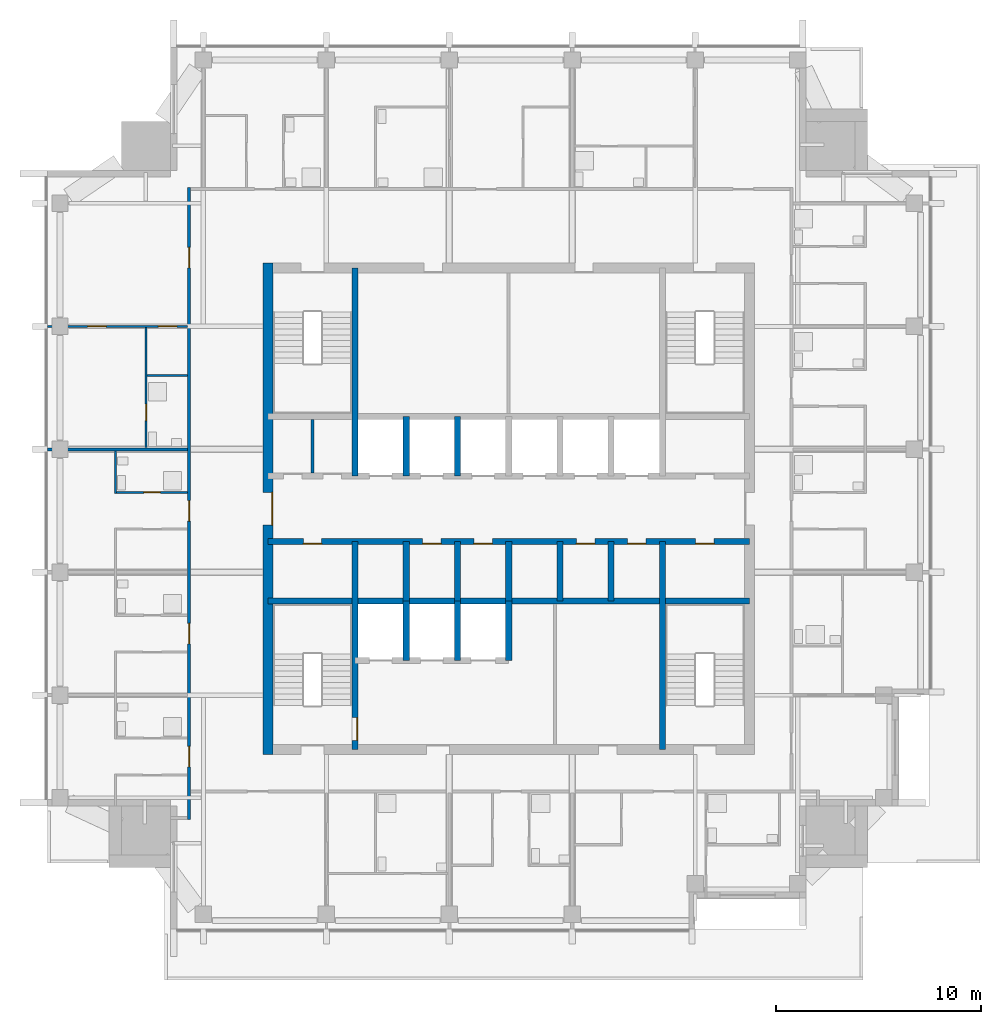
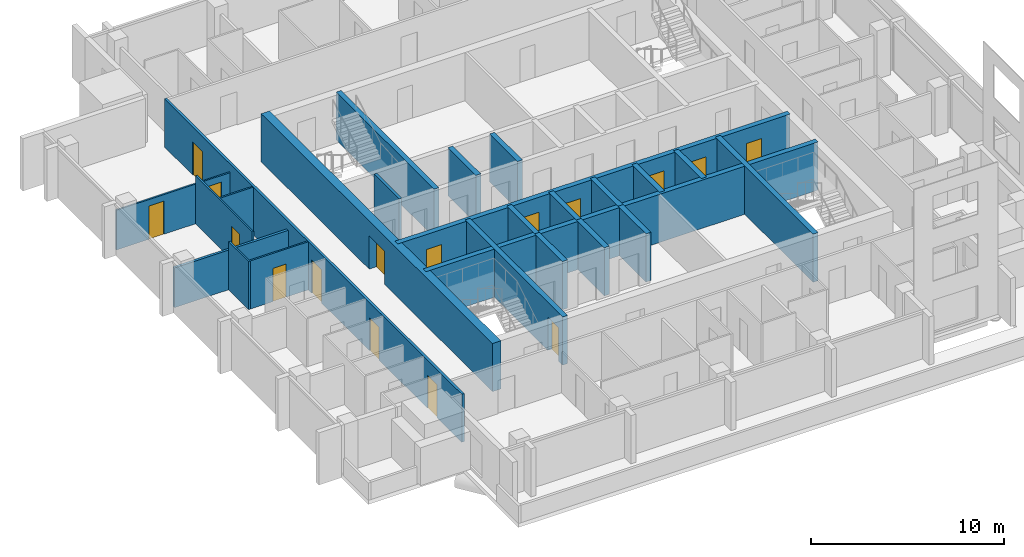
# One storey, part 5 of 11: 24 walls, 16 doors, 16 openings.
"""IFC4 building model written with IfcOpenShell, lengths in metres."""

from ifc_helpers import new_model, si_unit, direction, frame, frame_2d, origin, place, context, subcontext, project, spatial, rectangle, extrude, material, layer, layer_set, type_object, element, fill, save


model = new_model("IFC4")

# Units and contexts
model_context = context("Model", 3, precision=1e-05, world=origin(), true_north=direction((0.0, 1.0)))
body_context = subcontext(model_context, "Body", "Model", "MODEL_VIEW")
ifc_project = project(units=[si_unit("LENGTHUNIT", "METRE"), si_unit("AREAUNIT", "SQUARE_METRE"), si_unit("VOLUMEUNIT", "CUBIC_METRE"), si_unit("PLANEANGLEUNIT", "RADIAN"), si_unit("MASSUNIT", "GRAM", prefix="KILO")], contexts=[model_context])

# Site, building, storey
site_placement = place(None, origin())
site = spatial("IfcSite", under=ifc_project, at=site_placement, CompositionType="ELEMENT")
building_placement = place(site_placement, origin())
building = spatial("IfcBuilding", under=site, at=building_placement, Name="Amberfall Residences", CompositionType="ELEMENT")
storey_placement = place(building_placement, frame((0.0, 0.0, 238.89990234375)))
storey = spatial("IfcBuildingStorey", under=building, at=storey_placement, Name="L63", CompositionType="ELEMENT", Elevation=238.89990234375)

# Wall
ifc_material_1 = material(Name="Concrete C50", Category="concrete")
ifc_layer_1 = layer(ifc_material_1, 0.300048828125)
ifc_layer_set_1 = layer_set([ifc_layer_1], Name="Core wall 300 C50")
wall_type_1 = type_object("IfcWallType", Name="Core wall 300 C50", PredefinedType="SHEAR", material=ifc_layer_set_1)
wall_1_placement = place(storey_placement, frame((62.75, 41.0, 0.0), z_axis=(0.0, 0.0, 1.0), x_axis=(1.0, 0.0, 0.0)))
element("IfcWall", 1, at=wall_1_placement, inside=storey, type_object=wall_type_1, Name="Core wall RW10 L63 H75", PredefinedType="SHEAR", context=body_context, shape_type="SweptSolid", body=[
    extrude(rectangle(XDim=23.5, YDim=0.300048828125, at=frame_2d((11.75, 0.0))), origin(), (0.0, 0.0, 1.0), 3.050048828125),
])

# Wall, openings, doors
wall_2_placement = place(storey_placement, frame((62.75, 43.89990234375, 0.0), z_axis=(0.0, 0.0, 1.0), x_axis=(1.0, 0.0, 0.0)))
wall_2 = element("IfcWall", 2, at=wall_2_placement, inside=storey, type_object=wall_type_1, Name="Core wall RW10 L63 H104", PredefinedType="SHEAR", context=body_context, shape_type="SweptSolid", body=[
    extrude(rectangle(XDim=23.5, YDim=0.300048828125, at=frame_2d((11.75, 0.0))), origin(), (0.0, 0.0, 1.0), 3.050048828125),
])
opening_1_placement = place(wall_2_placement, frame((1.72509765625, 0.0, 0.0)))
opening_1 = element("IfcOpeningElement", 3, at=opening_1_placement, cuts=wall_2, Name="Opening RD1", PredefinedType="OPENING", context=body_context, shape_type="SweptSolid", body=[
    extrude(rectangle(XDim=0.89990234375, YDim=2.10009765625, at=frame_2d((0.449951171875, 1.050048828125))), frame((0.0, 0.159912109375, 0.0), z_axis=(0.0, -1.0, 0.0), x_axis=(1.0, 0.0, 0.0)), (0.0, 0.0, 1.0), 0.320068359375),
])
opening_2_placement = place(wall_2_placement, frame((20.875, 0.0, 0.0)))
opening_2 = element("IfcOpeningElement", 4, at=opening_2_placement, cuts=wall_2, Name="Opening RD1", PredefinedType="OPENING", context=body_context, shape_type="SweptSolid", body=[
    extrude(rectangle(XDim=0.89990234375, YDim=2.10009765625, at=frame_2d((0.449951171875, 1.050048828125))), frame((0.0, 0.159912109375, 0.0), z_axis=(0.0, -1.0, 0.0), x_axis=(1.0, 0.0, 0.0)), (0.0, 0.0, 1.0), 0.320068359375),
])
opening_3_placement = place(wall_2_placement, frame((7.550048828125, 0.0, 0.0)))
opening_3 = element("IfcOpeningElement", 5, at=opening_3_placement, cuts=wall_2, Name="Opening RD1", PredefinedType="OPENING", context=body_context, shape_type="SweptSolid", body=[
    extrude(rectangle(XDim=0.89990234375, YDim=2.10009765625, at=frame_2d((0.449951171875, 1.050048828125))), frame((0.0, 0.159912109375, 0.0), z_axis=(0.0, -1.0, 0.0), x_axis=(1.0, 0.0, 0.0)), (0.0, 0.0, 1.0), 0.320068359375),
])
opening_4_placement = place(wall_2_placement, frame((10.050048828125, 0.0, 0.0)))
opening_4 = element("IfcOpeningElement", 6, at=opening_4_placement, cuts=wall_2, Name="Opening RD1", PredefinedType="OPENING", context=body_context, shape_type="SweptSolid", body=[
    extrude(rectangle(XDim=0.89990234375, YDim=2.10009765625, at=frame_2d((0.449951171875, 1.050048828125))), frame((0.0, 0.159912109375, 0.0), z_axis=(0.0, -1.0, 0.0), x_axis=(1.0, 0.0, 0.0)), (0.0, 0.0, 1.0), 0.320068359375),
])
opening_5_placement = place(wall_2_placement, frame((15.050048828125, 0.0, 0.0)))
opening_5 = element("IfcOpeningElement", 7, at=opening_5_placement, cuts=wall_2, Name="Opening RD1", PredefinedType="OPENING", context=body_context, shape_type="SweptSolid", body=[
    extrude(rectangle(XDim=0.89990234375, YDim=2.10009765625, at=frame_2d((0.449951171875, 1.050048828125))), frame((0.0, 0.159912109375, 0.0), z_axis=(0.0, -1.0, 0.0), x_axis=(1.0, 0.0, 0.0)), (0.0, 0.0, 1.0), 0.320068359375),
])
opening_6_placement = place(wall_2_placement, frame((17.550048828125, 0.0, 0.0)))
opening_6 = element("IfcOpeningElement", 8, at=opening_6_placement, cuts=wall_2, Name="Opening RD1", PredefinedType="OPENING", context=body_context, shape_type="SweptSolid", body=[
    extrude(rectangle(XDim=0.89990234375, YDim=2.10009765625, at=frame_2d((0.449951171875, 1.050048828125))), frame((0.0, 0.159912109375, 0.0), z_axis=(0.0, -1.0, 0.0), x_axis=(1.0, 0.0, 0.0)), (0.0, 0.0, 1.0), 0.320068359375),
])
ifc_material_2 = material(Name="Steel fire door set", Category="steel")
door_type_1 = type_object("IfcDoorType", Name="Service room door 900 x 2100", OperationType="SINGLE_SWING_LEFT", PredefinedType="DOOR", material=ifc_material_2)
door_1_placement = place(opening_1_placement, origin())
door_1 = element("IfcDoor", 9, at=door_1_placement, inside=storey, type_object=door_type_1, Name="RD1 L63", OperationType="SINGLE_SWING_LEFT", OverallHeight=2.10009765625, OverallWidth=0.89990234375, PredefinedType="DOOR", context=body_context, shape_type="SweptSolid", body=[
    extrude(rectangle(XDim=0.89990234375, YDim=2.10009765625, at=frame_2d((0.449951171875, 1.050048828125))), frame((0.0, -0.08740234375, 0.0), z_axis=(0.0, -1.0, 0.0), x_axis=(1.0, 0.0, 0.0)), (0.0, 0.0, 1.0), 0.050048828125),
])
fill(opening_1, door_1)
door_2_placement = place(opening_2_placement, origin())
door_2 = element("IfcDoor", 10, at=door_2_placement, inside=storey, type_object=door_type_1, Name="RD1 L63", OperationType="SINGLE_SWING_LEFT", OverallHeight=2.10009765625, OverallWidth=0.89990234375, PredefinedType="DOOR", context=body_context, shape_type="SweptSolid", body=[
    extrude(rectangle(XDim=0.89990234375, YDim=2.10009765625, at=frame_2d((0.449951171875, 1.050048828125))), frame((0.0, -0.08740234375, 0.0), z_axis=(0.0, -1.0, 0.0), x_axis=(1.0, 0.0, 0.0)), (0.0, 0.0, 1.0), 0.050048828125),
])
fill(opening_2, door_2)
door_3_placement = place(opening_3_placement, origin())
door_3 = element("IfcDoor", 11, at=door_3_placement, inside=storey, type_object=door_type_1, Name="RD1 L63", OperationType="SINGLE_SWING_LEFT", OverallHeight=2.10009765625, OverallWidth=0.89990234375, PredefinedType="DOOR", context=body_context, shape_type="SweptSolid", body=[
    extrude(rectangle(XDim=0.89990234375, YDim=2.10009765625, at=frame_2d((0.449951171875, 1.050048828125))), frame((0.0, -0.08740234375, 0.0), z_axis=(0.0, -1.0, 0.0), x_axis=(1.0, 0.0, 0.0)), (0.0, 0.0, 1.0), 0.050048828125),
])
fill(opening_3, door_3)
door_4_placement = place(opening_4_placement, origin())
door_4 = element("IfcDoor", 12, at=door_4_placement, inside=storey, type_object=door_type_1, Name="RD1 L63", OperationType="SINGLE_SWING_RIGHT", OverallHeight=2.10009765625, OverallWidth=0.89990234375, PredefinedType="DOOR", context=body_context, shape_type="SweptSolid", body=[
    extrude(rectangle(XDim=0.89990234375, YDim=2.10009765625, at=frame_2d((0.449951171875, 1.050048828125))), frame((0.0, -0.08740234375, 0.0), z_axis=(0.0, -1.0, 0.0), x_axis=(1.0, 0.0, 0.0)), (0.0, 0.0, 1.0), 0.050048828125),
])
fill(opening_4, door_4)
door_5_placement = place(opening_5_placement, origin())
door_5 = element("IfcDoor", 13, at=door_5_placement, inside=storey, type_object=door_type_1, Name="RD1 L63", OperationType="SINGLE_SWING_RIGHT", OverallHeight=2.10009765625, OverallWidth=0.89990234375, PredefinedType="DOOR", context=body_context, shape_type="SweptSolid", body=[
    extrude(rectangle(XDim=0.89990234375, YDim=2.10009765625, at=frame_2d((0.449951171875, 1.050048828125))), frame((0.0, -0.08740234375, 0.0), z_axis=(0.0, -1.0, 0.0), x_axis=(1.0, 0.0, 0.0)), (0.0, 0.0, 1.0), 0.050048828125),
])
fill(opening_5, door_5)
door_6_placement = place(opening_6_placement, origin())
door_6 = element("IfcDoor", 14, at=door_6_placement, inside=storey, type_object=door_type_1, Name="RD1 L63", OperationType="SINGLE_SWING_LEFT", OverallHeight=2.10009765625, OverallWidth=0.89990234375, PredefinedType="DOOR", context=body_context, shape_type="SweptSolid", body=[
    extrude(rectangle(XDim=0.89990234375, YDim=2.10009765625, at=frame_2d((0.449951171875, 1.050048828125))), frame((0.0, -0.08740234375, 0.0), z_axis=(0.0, -1.0, 0.0), x_axis=(1.0, 0.0, 0.0)), (0.0, 0.0, 1.0), 0.050048828125),
])
fill(opening_6, door_6)

# Wall, opening, door
wall_3_placement = place(storey_placement, frame((67.0, 33.75, 0.0), z_axis=(0.0, 0.0, 1.0), x_axis=(0.0, 1.0, 0.0)))
wall_3 = element("IfcWall", 15, at=wall_3_placement, inside=storey, type_object=wall_type_1, Name="Core wall RW10 L63 V45S", PredefinedType="SHEAR", context=body_context, shape_type="SweptSolid", body=[
    extrude(rectangle(XDim=10.14990234375, YDim=0.300048828125, at=frame_2d((5.074951171875, 0.0))), origin(), (0.0, 0.0, 1.0), 3.050048828125),
])
opening_7_placement = place(wall_3_placement, frame((0.449951171875, 0.0, 0.0)))
opening_7 = element("IfcOpeningElement", 16, at=opening_7_placement, cuts=wall_3, Name="Opening FL1", PredefinedType="OPENING", context=body_context, shape_type="SweptSolid", body=[
    extrude(rectangle(XDim=1.10009765625, YDim=2.10009765625, at=frame_2d((0.550048828125, 1.050048828125))), frame((0.0, 0.159912109375, 0.0), z_axis=(0.0, -1.0, 0.0), x_axis=(1.0, 0.0, 0.0)), (0.0, 0.0, 1.0), 0.320068359375),
])
door_type_2 = type_object("IfcDoorType", Name="Firefighting lobby door 1100 x 2100", OperationType="SINGLE_SWING_LEFT", PredefinedType="DOOR", material=ifc_material_2)
door_7_placement = place(opening_7_placement, origin())
door_7 = element("IfcDoor", 17, at=door_7_placement, inside=storey, type_object=door_type_2, Name="FL1 L63", OperationType="SINGLE_SWING_RIGHT", OverallHeight=2.10009765625, OverallWidth=1.10009765625, PredefinedType="DOOR", context=body_context, shape_type="SweptSolid", body=[
    extrude(rectangle(XDim=1.10009765625, YDim=2.10009765625, at=frame_2d((0.550048828125, 1.050048828125))), frame((0.0, -0.08740234375, 0.0), z_axis=(0.0, -1.0, 0.0), x_axis=(1.0, 0.0, 0.0)), (0.0, 0.0, 1.0), 0.050048828125),
])
fill(opening_7, door_7)

# Walls
for number, where, z_axis, x_axis, name in (
    (18, (67.0, 47.10009765625, 0.0), (0.0, 0.0, 1.0), (0.0, 1.0, 0.0), "Core wall RW10 L63 V45N"),
    (19, (82.0, 33.75, 0.0), (0.0, 0.0, 1.0), (0.0, 1.0, 0.0), "Core wall RW10 L63 V195S"),
):
    element("IfcWall", number, at=place(storey_placement, frame(where, z_axis=z_axis, x_axis=x_axis)), inside=storey, type_object=wall_type_1, Name=name, PredefinedType="SHEAR", context=body_context, shape_type="SweptSolid", body=[
        extrude(rectangle(XDim=10.14990234375, YDim=0.300048828125, at=frame_2d((5.074951171875, 0.0))), origin(), (0.0, 0.0, 1.0), 3.050048828125),
    ])
for number, where, z_axis, x_axis, name in (
    (20, (69.5, 41.0, 0.0), (0.0, 0.0, 1.0), (0.0, 1.0, 0.0), "Core wall RW10 L63 LPD1"),
    (21, (69.5, 47.10009765625, 0.0), (0.0, 0.0, 1.0), (0.0, 1.0, 0.0), "Core wall RW10 L63 HPD1"),
    (22, (72.0, 41.0, 0.0), (0.0, 0.0, 1.0), (0.0, 1.0, 0.0), "Core wall RW10 L63 LPD2"),
    (23, (72.0, 47.10009765625, 0.0), (0.0, 0.0, 1.0), (0.0, 1.0, 0.0), "Core wall RW10 L63 HPD2"),
    (24, (74.5, 41.0, 0.0), (0.0, 0.0, 1.0), (0.0, 1.0, 0.0), "Core wall RW10 L63 LPD3"),
    (25, (77.0, 41.0, 0.0), (0.0, 0.0, 1.0), (0.0, 1.0, 0.0), "Core wall RW10 L63 LPD4"),
    (26, (79.5, 41.0, 0.0), (0.0, 0.0, 1.0), (0.0, 1.0, 0.0), "Core wall RW10 L63 LPD5"),
    (27, (69.5, 38.10009765625, 0.0), (0.0, 0.0, 1.0), (0.0, 1.0, 0.0), "Core wall RW10 L63 FFD1"),
    (28, (72.0, 38.10009765625, 0.0), (0.0, 0.0, 1.0), (0.0, 1.0, 0.0), "Core wall RW10 L63 FFD2"),
    (29, (74.5, 38.10009765625, 0.0), (0.0, 0.0, 1.0), (0.0, 1.0, 0.0), "Core wall RW10 L63 FFD3"),
):
    element("IfcWall", number, at=place(storey_placement, frame(where, z_axis=z_axis, x_axis=x_axis)), inside=storey, type_object=wall_type_1, Name=name, PredefinedType="SHEAR", context=body_context, shape_type="SweptSolid", body=[
        extrude(rectangle(XDim=2.89990234375, YDim=0.300048828125, at=frame_2d((1.449951171875, 0.0))), origin(), (0.0, 0.0, 1.0), 3.050048828125),
    ])

# Wall, opening, door
ifc_layer_2 = layer(ifc_material_1, 0.5)
ifc_layer_set_2 = layer_set([ifc_layer_2], Name="Core wall 500 C50")
wall_type_2 = type_object("IfcWallType", Name="Core wall 500 C50", PredefinedType="SHEAR", material=ifc_layer_set_2)
wall_4_placement = place(storey_placement, frame((62.75, 33.5, 0.0), z_axis=(0.0, 0.0, 1.0), x_axis=(0.0, 1.0, 0.0)))
wall_4 = element("IfcWall", 30, at=wall_4_placement, inside=storey, type_object=wall_type_2, Name="Core wall RW9 L63 OW", PredefinedType="SHEAR", context=body_context, shape_type="SweptSolid", body=[
    extrude(rectangle(XDim=24.0, YDim=0.5, at=frame_2d((12.0, 0.0))), origin(), (0.0, 0.0, 1.0), 3.050048828125),
])
opening_8_placement = place(wall_4_placement, frame((11.199951171875, 0.0, 0.0)))
opening_8 = element("IfcOpeningElement", 31, at=opening_8_placement, cuts=wall_4, Name="Opening LB1", PredefinedType="OPENING", context=body_context, shape_type="SweptSolid", body=[
    extrude(rectangle(XDim=1.60009765625, YDim=2.10009765625, at=frame_2d((0.800048828125, 1.050048828125))), frame((0.0, 0.260009765625, 0.0), z_axis=(0.0, -1.0, 0.0), x_axis=(1.0, 0.0, 0.0)), (0.0, 0.0, 1.0), 0.52001953125),
])
door_type_3 = type_object("IfcDoorType", Name="Lift lobby double door 1600 x 2100", OperationType="DOUBLE_DOOR_SINGLE_SWING", PredefinedType="DOOR", material=ifc_material_2)
door_8_placement = place(opening_8_placement, origin())
door_8 = element("IfcDoor", 32, at=door_8_placement, inside=storey, type_object=door_type_3, Name="LB1 L63", OperationType="DOUBLE_DOOR_SINGLE_SWING", OverallHeight=2.10009765625, OverallWidth=1.60009765625, PredefinedType="DOOR", context=body_context, shape_type="SweptSolid", body=[
    extrude(rectangle(XDim=1.60009765625, YDim=2.10009765625, at=frame_2d((0.800048828125, 1.050048828125))), frame((0.0, -0.1875, 0.0), z_axis=(0.0, -1.0, 0.0), x_axis=(1.0, 0.0, 0.0)), (0.0, 0.0, 1.0), 0.050048828125),
])
fill(opening_8, door_8)

# Wall
ifc_material_3 = material(Name="Gypsum board on metal stud")
ifc_layer_3 = layer(ifc_material_3, 0.10009765625)
ifc_layer_set_3 = layer_set([ifc_layer_3], Name="Flat partition 100")
wall_type_3 = type_object("IfcWallType", Name="Flat partition 100", PredefinedType="PARTITIONING", material=ifc_layer_set_3)
wall_5_placement = place(storey_placement, frame((55.300048828125, 46.25, 0.0), z_axis=(0.0, 0.0, 1.0), x_axis=(0.0, 1.0, 0.0)))
element("IfcWall", 33, at=wall_5_placement, inside=storey, type_object=wall_type_3, Name="Partition 004", PredefinedType="PARTITIONING", context=body_context, shape_type="SweptSolid", body=[
    extrude(rectangle(XDim=2.074951171875, YDim=0.10009765625, at=frame_2d((1.03759765625, 0.0))), origin(), (0.0, 0.0, 1.0), 3.050048828125),
])

# Wall, opening, door
wall_6_placement = place(storey_placement, frame((56.800048828125, 54.35009765625, 0.0), z_axis=(0.0, 0.0, 1.0), x_axis=(0.0, -1.0, 0.0)))
wall_6 = element("IfcWall", 34, at=wall_6_placement, inside=storey, type_object=wall_type_3, Name="Partition 005", PredefinedType="PARTITIONING", context=body_context, shape_type="SweptSolid", body=[
    extrude(rectangle(XDim=5.875, YDim=0.10009765625, at=frame_2d((2.9375, 0.0))), origin(), (0.0, 0.0, 1.0), 3.050048828125),
])
opening_9_placement = place(wall_6_placement, frame((3.75, 0.0, 0.0)))
opening_9 = element("IfcOpeningElement", 35, at=opening_9_placement, cuts=wall_6, Name="Opening D42", PredefinedType="OPENING", context=body_context, shape_type="SweptSolid", body=[
    extrude(rectangle(XDim=0.800048828125, YDim=2.10009765625, at=frame_2d((0.39990234375, 1.050048828125))), frame((0.0, 0.06005859375, 0.0), z_axis=(0.0, -1.0, 0.0), x_axis=(1.0, 0.0, 0.0)), (0.0, 0.0, 1.0), 0.1201171875),
])
ifc_material_4 = material(Name="Timber", Category="wood")
door_type_4 = type_object("IfcDoorType", Name="Bathroom door 800 x 2100", OperationType="SINGLE_SWING_LEFT", PredefinedType="DOOR", material=ifc_material_4)
door_9_placement = place(opening_9_placement, origin())
door_9 = element("IfcDoor", 36, at=door_9_placement, inside=storey, type_object=door_type_4, Name="Door 6314 bath1", OperationType="SINGLE_SWING_LEFT", OverallHeight=2.10009765625, OverallWidth=0.800048828125, PredefinedType="DOOR", context=body_context, shape_type="SweptSolid", body=[
    extrude(rectangle(XDim=0.800048828125, YDim=2.10009765625, at=frame_2d((0.39990234375, 1.050048828125))), frame((0.0, 0.02490234375, 0.0), z_axis=(0.0, -1.0, 0.0), x_axis=(1.0, 0.0, 0.0)), (0.0, 0.0, 1.0), 0.050048828125),
])
fill(opening_9, door_9)

# Wall, openings, doors
wall_7_placement = place(storey_placement, frame((58.824951171875, 54.39990234375, 0.0), z_axis=(0.0, 0.0, 1.0), x_axis=(-1.0, 0.0, 0.0)))
wall_7 = element("IfcWall", 37, at=wall_7_placement, inside=storey, type_object=wall_type_3, Name="Partition 032", PredefinedType="PARTITIONING", context=body_context, shape_type="SweptSolid", body=[
    extrude(rectangle(XDim=6.824951171875, YDim=0.10009765625, at=frame_2d((3.41259765625, 0.0))), origin(), (0.0, 0.0, 1.0), 2.51611328125),
])
opening_10_placement = place(wall_7_placement, frame((0.52490234375, 0.0, 0.0)))
opening_10 = element("IfcOpeningElement", 38, at=opening_10_placement, cuts=wall_7, Name="Opening D41", PredefinedType="OPENING", context=body_context, shape_type="SweptSolid", body=[
    extrude(rectangle(XDim=0.89990234375, YDim=2.10009765625, at=frame_2d((0.449951171875, 1.050048828125))), frame((0.0, 0.06005859375, 0.0), z_axis=(0.0, -1.0, 0.0), x_axis=(1.0, 0.0, 0.0)), (0.0, 0.0, 1.0), 0.1201171875),
])
opening_11_placement = place(wall_7_placement, frame((3.97509765625, 0.0, 0.0)))
opening_11 = element("IfcOpeningElement", 39, at=opening_11_placement, cuts=wall_7, Name="Opening D41", PredefinedType="OPENING", context=body_context, shape_type="SweptSolid", body=[
    extrude(rectangle(XDim=0.89990234375, YDim=2.10009765625, at=frame_2d((0.449951171875, 1.050048828125))), frame((0.0, 0.06005859375, 0.0), z_axis=(0.0, -1.0, 0.0), x_axis=(1.0, 0.0, 0.0)), (0.0, 0.0, 1.0), 0.1201171875),
])
door_type_5 = type_object("IfcDoorType", Name="Internal door 900 x 2100", OperationType="SINGLE_SWING_LEFT", PredefinedType="DOOR", material=ifc_material_4)
door_10_placement = place(opening_10_placement, origin())
door_10 = element("IfcDoor", 40, at=door_10_placement, inside=storey, type_object=door_type_5, Name="Door 6314 kitchen", OperationType="SINGLE_SWING_LEFT", OverallHeight=2.10009765625, OverallWidth=0.89990234375, PredefinedType="DOOR", context=body_context, shape_type="SweptSolid", body=[
    extrude(rectangle(XDim=0.89990234375, YDim=2.10009765625, at=frame_2d((0.449951171875, 1.050048828125))), frame((0.0, 0.02490234375, 0.0), z_axis=(0.0, -1.0, 0.0), x_axis=(1.0, 0.0, 0.0)), (0.0, 0.0, 1.0), 0.050048828125),
])
fill(opening_10, door_10)
door_11_placement = place(opening_11_placement, origin())
door_11 = element("IfcDoor", 41, at=door_11_placement, inside=storey, type_object=door_type_5, Name="Door 6314 bedroom1", OperationType="SINGLE_SWING_LEFT", OverallHeight=2.10009765625, OverallWidth=0.89990234375, PredefinedType="DOOR", context=body_context, shape_type="SweptSolid", body=[
    extrude(rectangle(XDim=0.89990234375, YDim=2.10009765625, at=frame_2d((0.449951171875, 1.050048828125))), frame((0.0, 0.02490234375, 0.0), z_axis=(0.0, -1.0, 0.0), x_axis=(1.0, 0.0, 0.0)), (0.0, 0.0, 1.0), 0.050048828125),
])
fill(opening_11, door_11)

# Wall
wall_8_placement = place(storey_placement, frame((56.85009765625, 52.0, 0.0), z_axis=(0.0, 0.0, 1.0), x_axis=(1.0, 0.0, 0.0)))
element("IfcWall", 42, at=wall_8_placement, inside=storey, type_object=wall_type_3, Name="Partition 034", PredefinedType="PARTITIONING", context=body_context, shape_type="SweptSolid", body=[
    extrude(rectangle(XDim=1.974853515625, YDim=0.10009765625, at=frame_2d((0.9873046875, 0.0))), origin(), (0.0, 0.0, 1.0), 3.050048828125),
])

# Wall, opening, door
wall_9_placement = place(storey_placement, frame((55.35009765625, 46.300048828125, 0.0), z_axis=(0.0, 0.0, 1.0), x_axis=(1.0, 0.0, 0.0)))
wall_9 = element("IfcWall", 43, at=wall_9_placement, inside=storey, type_object=wall_type_3, Name="Partition 036", PredefinedType="PARTITIONING", context=body_context, shape_type="SweptSolid", body=[
    extrude(rectangle(XDim=3.474853515625, YDim=0.10009765625, at=frame_2d((1.7373046875, 0.0))), origin(), (0.0, 0.0, 1.0), 3.050048828125),
])
opening_12_placement = place(wall_9_placement, frame((1.35009765625, 0.0, 0.0)))
opening_12 = element("IfcOpeningElement", 44, at=opening_12_placement, cuts=wall_9, Name="Opening D42", PredefinedType="OPENING", context=body_context, shape_type="SweptSolid", body=[
    extrude(rectangle(XDim=0.800048828125, YDim=2.10009765625, at=frame_2d((0.39990234375, 1.050048828125))), frame((0.0, 0.06005859375, 0.0), z_axis=(0.0, -1.0, 0.0), x_axis=(1.0, 0.0, 0.0)), (0.0, 0.0, 1.0), 0.1201171875),
])
door_12_placement = place(opening_12_placement, origin())
door_12 = element("IfcDoor", 45, at=door_12_placement, inside=storey, type_object=door_type_4, Name="Door 6313 bath1", OperationType="SINGLE_SWING_LEFT", OverallHeight=2.10009765625, OverallWidth=0.800048828125, PredefinedType="DOOR", context=body_context, shape_type="SweptSolid", body=[
    extrude(rectangle(XDim=0.800048828125, YDim=2.10009765625, at=frame_2d((0.39990234375, 1.050048828125))), frame((0.0, 0.02490234375, 0.0), z_axis=(0.0, -1.0, 0.0), x_axis=(1.0, 0.0, 0.0)), (0.0, 0.0, 1.0), 0.050048828125),
])
fill(opening_12, door_12)

# Wall, openings, doors
ifc_material_5 = material(Name="Blockwork, plastered", Category="masonry")
ifc_layer_4 = layer(ifc_material_5, 0.14990234375)
ifc_layer_set_4 = layer_set([ifc_layer_4], Name="Flat separating wall 150")
wall_type_4 = type_object("IfcWallType", Name="Flat separating wall 150", PredefinedType="PARTITIONING", material=ifc_layer_set_4)
wall_10_placement = place(storey_placement, frame((58.89990234375, 30.324951171875, 0.0), z_axis=(0.0, 0.0, 1.0), x_axis=(0.0, 1.0, 0.0)))
wall_10 = element("IfcWall", 46, at=wall_10_placement, inside=storey, type_object=wall_type_4, Name="Separating wall 051", PredefinedType="PARTITIONING", context=body_context, shape_type="SweptSolid", body=[
    extrude(rectangle(XDim=30.85009765625, YDim=0.14990234375, at=frame_2d((15.425048828125, 0.0))), origin(), (0.0, 0.0, 1.0), 3.050048828125),
])
opening_13_placement = place(wall_10_placement, frame((2.574951171875, 0.0, 0.0)))
opening_13 = element("IfcOpeningElement", 47, at=opening_13_placement, cuts=wall_10, Name="Opening D40", PredefinedType="OPENING", context=body_context, shape_type="SweptSolid", body=[
    extrude(rectangle(XDim=1.0, YDim=2.10009765625, at=frame_2d((0.5, 1.050048828125))), frame((0.0, 0.0849609375, 0.0), z_axis=(0.0, -1.0, 0.0), x_axis=(1.0, 0.0, 0.0)), (0.0, 0.0, 1.0), 0.169921875),
])
opening_14_placement = place(wall_10_placement, frame((8.574951171875, 0.0, 0.0)))
opening_14 = element("IfcOpeningElement", 48, at=opening_14_placement, cuts=wall_10, Name="Opening D40", PredefinedType="OPENING", context=body_context, shape_type="SweptSolid", body=[
    extrude(rectangle(XDim=1.0, YDim=2.10009765625, at=frame_2d((0.5, 1.050048828125))), frame((0.0, 0.0849609375, 0.0), z_axis=(0.0, -1.0, 0.0), x_axis=(1.0, 0.0, 0.0)), (0.0, 0.0, 1.0), 0.169921875),
])
opening_15_placement = place(wall_10_placement, frame((14.574951171875, 0.0, 0.0)))
opening_15 = element("IfcOpeningElement", 49, at=opening_15_placement, cuts=wall_10, Name="Opening D40", PredefinedType="OPENING", context=body_context, shape_type="SweptSolid", body=[
    extrude(rectangle(XDim=1.0, YDim=2.10009765625, at=frame_2d((0.5, 1.050048828125))), frame((0.0, 0.0849609375, 0.0), z_axis=(0.0, -1.0, 0.0), x_axis=(1.0, 0.0, 0.0)), (0.0, 0.0, 1.0), 0.169921875),
])
opening_16_placement = place(wall_10_placement, frame((26.925048828125, 0.0, 0.0)))
opening_16 = element("IfcOpeningElement", 50, at=opening_16_placement, cuts=wall_10, Name="Opening D40", PredefinedType="OPENING", context=body_context, shape_type="SweptSolid", body=[
    extrude(rectangle(XDim=1.0, YDim=2.10009765625, at=frame_2d((0.5, 1.050048828125))), frame((0.0, 0.0849609375, 0.0), z_axis=(0.0, -1.0, 0.0), x_axis=(1.0, 0.0, 0.0)), (0.0, 0.0, 1.0), 0.169921875),
])
ifc_material_6 = material(Name="Timber, fire-rated", Category="wood")
door_type_6 = type_object("IfcDoorType", Name="Flat entrance door FD60 1000 x 2100", OperationType="SINGLE_SWING_LEFT", PredefinedType="DOOR", material=ifc_material_6)
door_13_placement = place(opening_13_placement, origin())
door_13 = element("IfcDoor", 51, at=door_13_placement, inside=storey, type_object=door_type_6, Name="Door 6311 entrance", OperationType="SINGLE_SWING_LEFT", OverallHeight=2.10009765625, OverallWidth=1.0, PredefinedType="DOOR", context=body_context, shape_type="SweptSolid", body=[
    extrude(rectangle(XDim=1.0, YDim=2.10009765625, at=frame_2d((0.5, 1.050048828125))), frame((0.0, 0.02490234375, 0.0), z_axis=(0.0, -1.0, 0.0), x_axis=(1.0, 0.0, 0.0)), (0.0, 0.0, 1.0), 0.050048828125),
])
fill(opening_13, door_13)
door_14_placement = place(opening_14_placement, origin())
door_14 = element("IfcDoor", 52, at=door_14_placement, inside=storey, type_object=door_type_6, Name="Door 6312 entrance", OperationType="SINGLE_SWING_LEFT", OverallHeight=2.10009765625, OverallWidth=1.0, PredefinedType="DOOR", context=body_context, shape_type="SweptSolid", body=[
    extrude(rectangle(XDim=1.0, YDim=2.10009765625, at=frame_2d((0.5, 1.050048828125))), frame((0.0, 0.02490234375, 0.0), z_axis=(0.0, -1.0, 0.0), x_axis=(1.0, 0.0, 0.0)), (0.0, 0.0, 1.0), 0.050048828125),
])
fill(opening_14, door_14)
door_15_placement = place(opening_15_placement, origin())
door_15 = element("IfcDoor", 53, at=door_15_placement, inside=storey, type_object=door_type_6, Name="Door 6313 entrance", OperationType="SINGLE_SWING_LEFT", OverallHeight=2.10009765625, OverallWidth=1.0, PredefinedType="DOOR", context=body_context, shape_type="SweptSolid", body=[
    extrude(rectangle(XDim=1.0, YDim=2.10009765625, at=frame_2d((0.5, 1.050048828125))), frame((0.0, 0.02490234375, 0.0), z_axis=(0.0, -1.0, 0.0), x_axis=(1.0, 0.0, 0.0)), (0.0, 0.0, 1.0), 0.050048828125),
])
fill(opening_15, door_15)
door_16_placement = place(opening_16_placement, origin())
door_16 = element("IfcDoor", 54, at=door_16_placement, inside=storey, type_object=door_type_6, Name="Door 6314 entrance", OperationType="SINGLE_SWING_LEFT", OverallHeight=2.10009765625, OverallWidth=1.0, PredefinedType="DOOR", context=body_context, shape_type="SweptSolid", body=[
    extrude(rectangle(XDim=1.0, YDim=2.10009765625, at=frame_2d((0.5, 1.050048828125))), frame((0.0, 0.02490234375, 0.0), z_axis=(0.0, -1.0, 0.0), x_axis=(1.0, 0.0, 0.0)), (0.0, 0.0, 1.0), 0.050048828125),
])
fill(opening_16, door_16)

# Walls
wall_11_placement = place(storey_placement, frame((52.0, 48.39990234375, 0.0), z_axis=(0.0, 0.0, 1.0), x_axis=(1.0, 0.0, 0.0)))
element("IfcWall", 55, at=wall_11_placement, inside=storey, type_object=wall_type_4, Name="Separating wall 062", PredefinedType="PARTITIONING", context=body_context, shape_type="SweptSolid", body=[
    extrude(rectangle(XDim=6.824951171875, YDim=0.14990234375, at=frame_2d((3.41259765625, 0.0))), origin(), (0.0, 0.0, 1.0), 2.51611328125),
])
ifc_material_7 = material(Name="Concrete blockwork", Category="masonry")
ifc_layer_5 = layer(ifc_material_7, 0.14990234375)
ifc_layer_set_5 = layer_set([ifc_layer_5], Name="Riser wall 150")
wall_type_5 = type_object("IfcWallType", Name="Riser wall 150", PredefinedType="PLUMBINGWALL", material=ifc_layer_set_5)
wall_12_placement = place(storey_placement, frame((64.925048828125, 47.25, 0.0), z_axis=(0.0, 0.0, 1.0), x_axis=(0.0, 1.0, 0.0)))
element("IfcWall", 56, at=wall_12_placement, inside=storey, type_object=wall_type_5, Name="L63 core wall ANW0", PredefinedType="PLUMBINGWALL", context=body_context, shape_type="SweptSolid", body=[
    extrude(rectangle(XDim=2.60009765625, YDim=0.14990234375, at=frame_2d((1.300048828125, 0.0))), origin(), (0.0, 0.0, 1.0), 3.050048828125),
])

save(model, "model.ifc")
